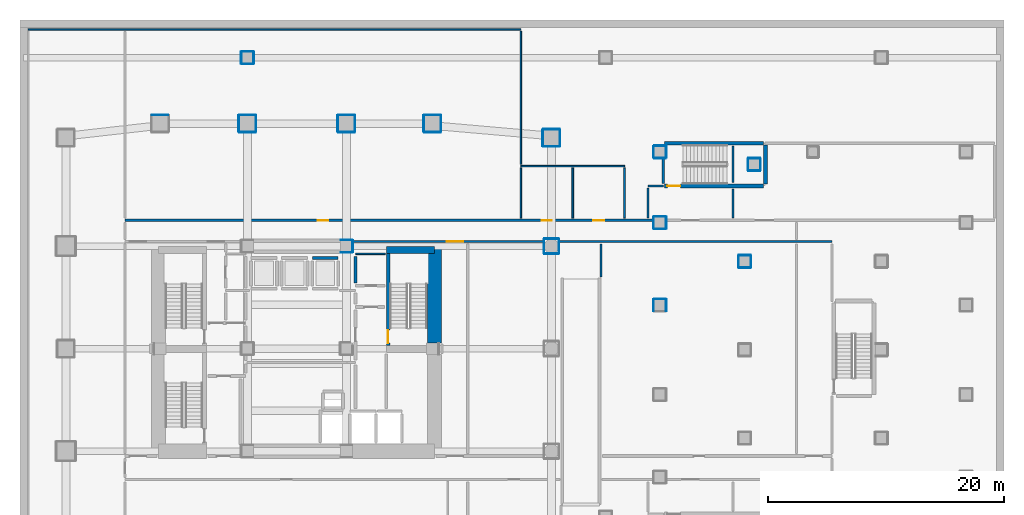
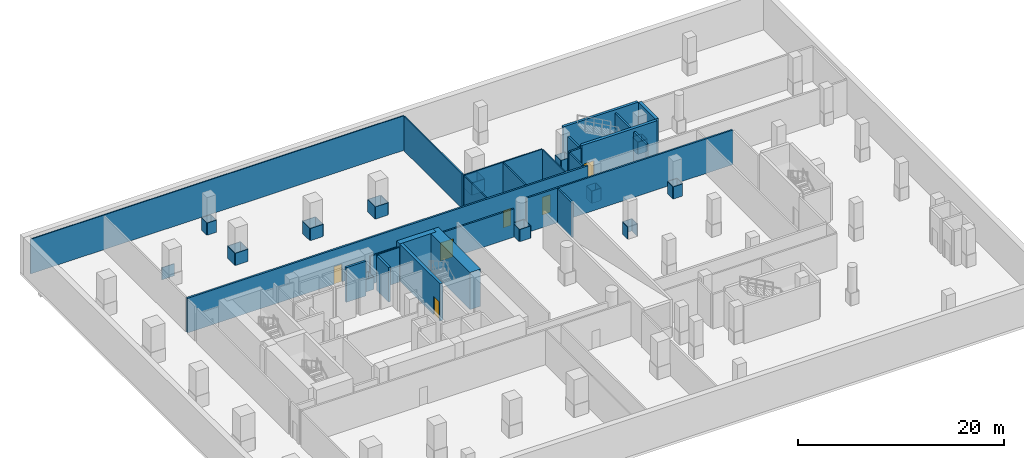
# One storey, part 7 of 15: 71 walls, 6 doors, 6 openings.
"""IFC4 building model written with IfcOpenShell, lengths in metres."""

import ifcopenshell
import ifcopenshell.guid

model = None  # the IFC model being written
_history = None  # IfcOwnerHistory: only IFC2X3 demands one
_inside = {}  # id of a spatial element -> (the spatial element, [elements in it])
_under = {}  # id of a project, library or spatial element -> (it, [spatial elements below it])
_declared = {}  # id of a project -> (the project, [libraries it declares])
_typed = {}  # id of a type object -> (the type object, [elements of that type])
_made_of = {}  # id of a material, layer set ... -> (it, [elements and type objects made of it])


def new_model(schema):
    """Start an empty IFC model of exactly this schema.

    Asked for "IFC4X3", IfcOpenShell would pick the latest addendum, in which some entities
    have other attributes; the version numbers below select the first issue.
    IFC2X3 requires an IfcOwnerHistory on every rooted entity: one is made here for all.
    """
    global model, _history
    if schema == "IFC4X3":
        model = ifcopenshell.file(schema_version=(4, 3, 0, 0))
    else:
        model = ifcopenshell.file(schema=schema)
    _inside.clear()
    _under.clear()
    _declared.clear()
    _typed.clear()
    _made_of.clear()
    _history = None
    if model.schema == "IFC2X3":
        org = make("IfcOrganization", Name="unknown")
        user = make(
            "IfcPersonAndOrganization",
            ThePerson=make("IfcPerson", FamilyName="unknown"),
            TheOrganization=org,
        )
        app = make(
            "IfcApplication",
            ApplicationDeveloper=org,
            Version="unknown",
            ApplicationFullName="unknown",
            ApplicationIdentifier="unknown",
        )
        _history = make(
            "IfcOwnerHistory",
            OwningUser=user,
            OwningApplication=app,
            ChangeAction="ADDED",
            CreationDate=0,
        )
    return model


def make(cls, **values):
    """One entity of the class cls with the attributes given. An attribute that is None is left unset."""
    return model.create_entity(
        cls, **{name: value for name, value in values.items() if value is not None}
    )


def rooted(cls, **values):
    """An entity with a GlobalId (a new one), such as an element, a storey or a relation."""
    return make(cls, GlobalId=ifcopenshell.guid.new(), OwnerHistory=_history, **values)


def si_unit(unit_type, name, prefix=None):
    """IfcSIUnit, for example si_unit("LENGTHUNIT", "METRE", prefix="MILLI")."""
    return make("IfcSIUnit", UnitType=unit_type, Prefix=prefix, Name=name)


def assignment(units):
    """IfcUnitAssignment: the units of a project."""
    return None if units is None else make("IfcUnitAssignment", Units=units)


def point(xyz):
    """IfcCartesianPoint."""
    return None if xyz is None else make("IfcCartesianPoint", Coordinates=xyz)


def direction(xyz):
    """IfcDirection."""
    return None if xyz is None else make("IfcDirection", DirectionRatios=xyz)


def frame(location, z_axis=None, x_axis=None):
    """IfcAxis2Placement3D, a coordinate frame: its origin and axes. An axis left out is left unset."""
    return make(
        "IfcAxis2Placement3D",
        Location=point(location),
        Axis=direction(z_axis),
        RefDirection=direction(x_axis),
    )


def frame_2d(location, x_axis=None):
    """IfcAxis2Placement2D, a coordinate frame in the plane: its origin and x axis."""
    return make(
        "IfcAxis2Placement2D", Location=point(location), RefDirection=direction(x_axis)
    )


def origin():
    """The frame at (0, 0, 0) with its axes left unset."""
    return frame((0.0, 0.0, 0.0))


def place(relative_to, where):
    """IfcLocalPlacement: puts the frame where relative to a parent placement (None: the world)."""
    return make(
        "IfcLocalPlacement", PlacementRelTo=relative_to, RelativePlacement=where
    )


def context(
    kind, dimensions, precision=None, world=None, true_north=None, identifier=None
):
    """IfcGeometricRepresentationContext, for example the 3D "Model" context."""
    return make(
        "IfcGeometricRepresentationContext",
        ContextIdentifier=identifier,
        ContextType=kind,
        CoordinateSpaceDimension=dimensions,
        Precision=precision,
        WorldCoordinateSystem=world,
        TrueNorth=true_north,
    )


def subcontext(parent, identifier, kind, view, scale=None):
    """IfcGeometricRepresentationSubContext, for example "Body" below "Model"."""
    return make(
        "IfcGeometricRepresentationSubContext",
        ContextIdentifier=identifier,
        ContextType=kind,
        ParentContext=parent,
        TargetScale=scale,
        TargetView=view,
    )


def project(units=None, contexts=None):
    """IfcProject with its units and contexts."""
    return rooted(
        "IfcProject",
        Name="project",
        RepresentationContexts=contexts,
        UnitsInContext=assignment(units),
    )


def spatial(cls, under=None, at=None, **own):
    """A site, building, storey or space (cls), placed at a placement, below another one or the project."""
    s = rooted(cls, ObjectPlacement=at, **own)
    if under is not None:
        _under.setdefault(under.id(), (under, []))[1].append(s)
    return s


def profile(cls, at=None, kind="AREA", **sizes):
    """A parametric profile (cls). Its sizes go by their IFC names, for example OverallWidth=200.0."""
    return make(cls, ProfileType=kind, Position=at, **sizes)


def rectangle(**sizes):
    """IfcRectangleProfileDef."""
    return profile("IfcRectangleProfileDef", **sizes)


def extrude(swept, where, along, depth):
    """IfcExtrudedAreaSolid: the profile swept, set in the frame where, extruded along a direction by depth."""
    return make(
        "IfcExtrudedAreaSolid",
        SweptArea=swept,
        Position=where,
        ExtrudedDirection=direction(along),
        Depth=depth,
    )


def shape(context_of_items, identifier, shape_type, items):
    """IfcShapeRepresentation: the items that make up one representation, for example the "Body"."""
    return make(
        "IfcShapeRepresentation",
        ContextOfItems=context_of_items,
        RepresentationIdentifier=identifier,
        RepresentationType=shape_type,
        Items=items,
    )


def material(Name=None, Category=None):
    """IfcMaterial."""
    return make("IfcMaterial", Name=Name, Category=Category)


def layer(
    of_material, thickness, ventilated=None, Name=None, Category=None, Priority=None
):
    """IfcMaterialLayer: one layer of a wall or slab, of a material (None: an air gap)."""
    return make(
        "IfcMaterialLayer",
        Material=of_material,
        LayerThickness=thickness,
        IsVentilated=ventilated,
        Name=Name,
        Category=Category,
        Priority=Priority,
    )


def layer_set(layers, Name=None):
    """IfcMaterialLayerSet."""
    return make("IfcMaterialLayerSet", MaterialLayers=layers, LayerSetName=Name)


def made_of(thing, what):
    """Note that an element or type object is made of a material, layer set ...; save() writes the relation."""
    if what is not None:
        _made_of.setdefault(what.id(), (what, []))[1].append(thing)
    return thing


def type_object(cls, material=None, **own):
    """A type object (cls), such as IfcWallType, which elements share."""
    return made_of(rooted(cls, **own), material)


def element(
    cls,
    number,
    at=None,
    inside=None,
    cuts=None,
    type_object=None,
    material=None,
    context=None,
    identifier="Body",
    shape_type=None,
    held_by="IfcProductDefinitionShape",
    body=None,
    shapes=None,
    **own,
):
    """One element of the class cls, such as IfcWall. Its Tag is "e" and its number.

    at: its placement. inside: the storey or other place that contains it. cuts: it is an
    opening in that element (IfcRelVoidsElement). A single representation is given by context,
    identifier, shape_type and body (its items); several are given by shapes. held_by: the class
    of the entity that holds the representations. save() writes the other relations.
    """
    e = rooted(cls, Tag="e%d" % number, ObjectPlacement=at, **own)
    if body is not None:
        shapes = [shape(context, identifier, shape_type, body)]
    if shapes is not None:
        e.Representation = make(held_by, Representations=shapes)
    if inside is not None:
        _inside.setdefault(inside.id(), (inside, []))[1].append(e)
    if cuts is not None:
        rooted(
            "IfcRelVoidsElement", RelatingBuildingElement=cuts, RelatedOpeningElement=e
        )
    if type_object is not None:
        _typed.setdefault(type_object.id(), (type_object, []))[1].append(e)
    return made_of(e, material)


def fill(opening, filler):
    """IfcRelFillsElement: the door or window that sits in an opening."""
    return rooted(
        "IfcRelFillsElement",
        RelatingOpeningElement=opening,
        RelatedBuildingElement=filler,
    )


def aggregate(whole, parts):
    """IfcRelAggregates: a whole, such as a stair, and the parts it consists of."""
    return rooted("IfcRelAggregates", RelatingObject=whole, RelatedObjects=parts)


def save(model, path):
    """Write the relations noted so far, then the file.

    IfcRelAggregates (storeys below a building ...), IfcRelContainedInSpatialStructure (elements
    in a storey), IfcRelDefinesByType, IfcRelAssociatesMaterial and IfcRelDeclares: one each for
    every whole, place, type object, material and project.
    """
    for whole, parts in _under.values():
        aggregate(whole, parts)
    for where, things in _inside.values():
        rooted(
            "IfcRelContainedInSpatialStructure",
            RelatedElements=things,
            RelatingStructure=where,
        )
    for kind, things in _typed.values():
        rooted("IfcRelDefinesByType", RelatedObjects=things, RelatingType=kind)
    for what, things in _made_of.values():
        rooted("IfcRelAssociatesMaterial", RelatedObjects=things, RelatingMaterial=what)
    for by, libraries in _declared.values():
        rooted("IfcRelDeclares", RelatingContext=by, RelatedDefinitions=libraries)
    model.write(path)


model = new_model("IFC4")

# Units and contexts
model_context = context("Model", 3, precision=1e-05, world=origin(), true_north=direction((0.0, 1.0)))
body_context = subcontext(model_context, "Body", "Model", "MODEL_VIEW")
ifc_project = project(units=[si_unit("LENGTHUNIT", "METRE"), si_unit("AREAUNIT", "SQUARE_METRE"), si_unit("VOLUMEUNIT", "CUBIC_METRE"), si_unit("PLANEANGLEUNIT", "RADIAN"), si_unit("MASSUNIT", "GRAM", prefix="KILO")], contexts=[model_context])

# Site, building, storey
site_placement = place(None, origin())
site = spatial("IfcSite", under=ifc_project, at=site_placement, CompositionType="ELEMENT")
building_placement = place(site_placement, origin())
building = spatial("IfcBuilding", under=site, at=building_placement, Name="Solanera Arch Residences", CompositionType="ELEMENT")
storey_placement = place(building_placement, frame((0.0, 0.0, -8.800048828125)))
storey = spatial("IfcBuildingStorey", under=building, at=storey_placement, Name="B02", CompositionType="ELEMENT", Elevation=-8.800048828125)

# Walls
ifc_material_1 = material(Name="Fire-Rated Gypsum Stud Partition", Category="gypsum")
ifc_layer_1 = layer(ifc_material_1, 0.06005859375)
ifc_layer_set_1 = layer_set([ifc_layer_1], Name="Fire-Rated Gypsum Stud Partition")
wall_type_1 = type_object("IfcWallType", Name="Column Acoustic Furring Wall 60", PredefinedType="PARTITIONING", material=ifc_layer_set_1)
for number, where, z_axis, x_axis, name in (
    (1, (28.7099609375, 38.867919921875, 0.0), (0.0, 0.0, 1.0), (1.0, 0.0, 0.0), "B02 Column Furring 4S"),
    (2, (28.7099609375, 39.931884765625, 0.0), (0.0, 0.0, 1.0), (1.0, 0.0, 0.0), "B02 Column Furring 4N"),
):
    element("IfcWall", number, at=place(storey_placement, frame(where, z_axis=z_axis, x_axis=x_axis)), inside=storey, type_object=wall_type_1, Name=name, PredefinedType="PARTITIONING", context=body_context, shape_type="SweptSolid", body=[
        extrude(rectangle(XDim=0.989990234375, YDim=0.06005859375, at=frame_2d((0.4951171875, 0.0))), origin(), (0.0, 0.0, 1.0), 1.449951171875),
    ])
wall_1_placement = place(storey_placement, frame((29.73193359375, 38.89990234375, 0.0), z_axis=(0.0, 0.0, 1.0), x_axis=(0.0, 1.0, 0.0)))
element("IfcWall", 3, at=wall_1_placement, inside=storey, type_object=wall_type_1, Name="B02 Column Furring 4E", PredefinedType="PARTITIONING", context=body_context, shape_type="SweptSolid", body=[
    extrude(rectangle(XDim=1.0, YDim=0.06005859375, at=frame_2d((0.5, 0.0))), origin(), (0.0, 0.0, 1.0), 1.449951171875),
])
wall_2_placement = place(storey_placement, frame((12.699951171875, 50.531982421875, 0.0), z_axis=(0.0, 0.0, 1.0), x_axis=(1.0, 0.0, 0.0)))
element("IfcWall", 4, at=wall_2_placement, inside=storey, type_object=wall_type_1, Name="B02 Column Furring 11N", PredefinedType="PARTITIONING", context=body_context, shape_type="SweptSolid", body=[
    extrude(rectangle(XDim=1.400146484375, YDim=0.06005859375, at=frame_2d((0.7001953125, 0.0))), origin(), (0.0, 0.0, 1.0), 1.449951171875),
])
for number, where, z_axis, x_axis, name in (
    (5, (20.10009765625, 49.068115234375, 0.0), (0.0, 0.0, 1.0), (1.0, 0.0, 0.0), "B02 Column Furring 12S"),
    (6, (20.10009765625, 50.531982421875, 0.0), (0.0, 0.0, 1.0), (1.0, 0.0, 0.0), "B02 Column Furring 12N"),
    (7, (20.068115234375, 49.10009765625, 0.0), (0.0, 0.0, 1.0), (0.0, 1.0, 0.0), "B02 Column Furring 12W"),
    (8, (21.531982421875, 49.10009765625, 0.0), (0.0, 0.0, 1.0), (0.0, 1.0, 0.0), "B02 Column Furring 12E"),
    (9, (28.5, 49.068115234375, 0.0), (0.0, 0.0, 1.0), (1.0, 0.0, 0.0), "B02 Column Furring 13S"),
    (10, (28.5, 50.531982421875, 0.0), (0.0, 0.0, 1.0), (1.0, 0.0, 0.0), "B02 Column Furring 13N"),
    (11, (28.468017578125, 49.10009765625, 0.0), (0.0, 0.0, 1.0), (0.0, 1.0, 0.0), "B02 Column Furring 13W"),
    (12, (29.931884765625, 49.10009765625, 0.0), (0.0, 0.0, 1.0), (0.0, 1.0, 0.0), "B02 Column Furring 13E"),
    (13, (35.800048828125, 49.068115234375, 0.0), (0.0, 0.0, 1.0), (1.0, 0.0, 0.0), "B02 Column Furring 14S"),
    (14, (35.800048828125, 50.531982421875, 0.0), (0.0, 0.0, 1.0), (1.0, 0.0, 0.0), "B02 Column Furring 14N"),
    (15, (35.76806640625, 49.10009765625, 0.0), (0.0, 0.0, 1.0), (0.0, 1.0, 0.0), "B02 Column Furring 14W"),
    (16, (37.23193359375, 49.10009765625, 0.0), (0.0, 0.0, 1.0), (0.0, 1.0, 0.0), "B02 Column Furring 14E"),
):
    element("IfcWall", number, at=place(storey_placement, frame(where, z_axis=z_axis, x_axis=x_axis)), inside=storey, type_object=wall_type_1, Name=name, PredefinedType="PARTITIONING", context=body_context, shape_type="SweptSolid", body=[
        extrude(rectangle(XDim=1.39990234375, YDim=0.06005859375, at=frame_2d((0.699951171875, 0.0))), origin(), (0.0, 0.0, 1.0), 1.449951171875),
    ])
for number, where, z_axis, x_axis, name in (
    (17, (46.0, 38.76806640625, 0.0), (0.0, 0.0, 1.0), (1.0, 0.0, 0.0), "B02 Column Furring 20S"),
    (18, (46.0, 40.031982421875, 0.0), (0.0, 0.0, 1.0), (1.0, 0.0, 0.0), "B02 Column Furring 20N"),
    (19, (45.968017578125, 38.800048828125, 0.0), (0.0, 0.0, 1.0), (0.0, 1.0, 0.0), "B02 Column Furring 20W"),
    (20, (47.23193359375, 38.800048828125, 0.0), (0.0, 0.0, 1.0), (0.0, 1.0, 0.0), "B02 Column Furring 20E"),
):
    element("IfcWall", number, at=place(storey_placement, frame(where, z_axis=z_axis, x_axis=x_axis)), inside=storey, type_object=wall_type_1, Name=name, PredefinedType="PARTITIONING", context=body_context, shape_type="SweptSolid", body=[
        extrude(rectangle(XDim=1.199951171875, YDim=0.06005859375, at=frame_2d((0.60009765625, 0.0))), origin(), (0.0, 0.0, 1.0), 1.449951171875),
    ])
for number, where, z_axis, x_axis, name in (
    (21, (45.89990234375, 47.867919921875, 0.0), (0.0, 0.0, 1.0), (1.0, 0.0, 0.0), "B02 Column Furring 24S"),
    (22, (45.89990234375, 49.33203125, 0.0), (0.0, 0.0, 1.0), (1.0, 0.0, 0.0), "B02 Column Furring 24N"),
    (23, (45.867919921875, 47.89990234375, 0.0), (0.0, 0.0, 1.0), (0.0, 1.0, 0.0), "B02 Column Furring 24W"),
    (24, (47.33203125, 47.89990234375, 0.0), (0.0, 0.0, 1.0), (0.0, 1.0, 0.0), "B02 Column Furring 24E"),
):
    element("IfcWall", number, at=place(storey_placement, frame(where, z_axis=z_axis, x_axis=x_axis)), inside=storey, type_object=wall_type_1, Name=name, PredefinedType="PARTITIONING", context=body_context, shape_type="SweptSolid", body=[
        extrude(rectangle(XDim=1.400146484375, YDim=0.06005859375, at=frame_2d((0.7001953125, 0.0))), origin(), (0.0, 0.0, 1.0), 1.449951171875),
    ])
for number, where, z_axis, x_axis, name in (
    (25, (62.5, 37.568115234375, 0.0), (0.0, 0.0, 1.0), (1.0, 0.0, 0.0), "B02 Column Furring 31S"),
    (26, (62.5, 38.632080078125, 0.0), (0.0, 0.0, 1.0), (1.0, 0.0, 0.0), "B02 Column Furring 31N"),
    (27, (62.468017578125, 37.60009765625, 0.0), (0.0, 0.0, 1.0), (0.0, 1.0, 0.0), "B02 Column Furring 31W"),
    (28, (63.531982421875, 37.60009765625, 0.0), (0.0, 0.0, 1.0), (0.0, 1.0, 0.0), "B02 Column Furring 31E"),
    (29, (20.300048828125, 54.867919921875, 0.0), (0.0, 0.0, 1.0), (1.0, 0.0, 0.0), "B02 Column Furring 38S"),
    (30, (20.300048828125, 55.931884765625, 0.0), (0.0, 0.0, 1.0), (1.0, 0.0, 0.0), "B02 Column Furring 38N"),
    (31, (20.26806640625, 54.89990234375, 0.0), (0.0, 0.0, 1.0), (0.0, 1.0, 0.0), "B02 Column Furring 38W"),
    (32, (21.33203125, 54.89990234375, 0.0), (0.0, 0.0, 1.0), (0.0, 1.0, 0.0), "B02 Column Furring 38E"),
    (33, (63.300048828125, 45.80810546875, 0.0), (0.0, 0.0, 1.0), (1.0, 0.0, 0.0), "B02 Column Furring 42S"),
    (34, (63.300048828125, 46.8720703125, 0.0), (0.0, 0.0, 1.0), (1.0, 0.0, 0.0), "B02 Column Furring 42N"),
    (35, (63.26806640625, 45.840087890625, 0.0), (0.0, 0.0, 1.0), (0.0, 1.0, 0.0), "B02 Column Furring 42W"),
    (36, (64.33203125, 45.840087890625, 0.0), (0.0, 0.0, 1.0), (0.0, 1.0, 0.0), "B02 Column Furring 42E"),
    (37, (55.300048828125, 34.931884765625, 0.0), (0.0, 0.0, 1.0), (1.0, 0.0, 0.0), "B02 Column Furring 46N"),
    (38, (55.26806640625, 33.89990234375, 0.0), (0.0, 0.0, 1.0), (0.0, 1.0, 0.0), "B02 Column Furring 46W"),
    (39, (56.33203125, 33.89990234375, 0.0), (0.0, 0.0, 1.0), (0.0, 1.0, 0.0), "B02 Column Furring 46E"),
    (40, (55.300048828125, 40.867919921875, 0.0), (0.0, 0.0, 1.0), (1.0, 0.0, 0.0), "B02 Column Furring 47S"),
    (41, (55.300048828125, 41.931884765625, 0.0), (0.0, 0.0, 1.0), (1.0, 0.0, 0.0), "B02 Column Furring 47N"),
    (42, (55.26806640625, 40.89990234375, 0.0), (0.0, 0.0, 1.0), (0.0, 1.0, 0.0), "B02 Column Furring 47W"),
    (43, (56.33203125, 40.89990234375, 0.0), (0.0, 0.0, 1.0), (0.0, 1.0, 0.0), "B02 Column Furring 47E"),
    (44, (55.300048828125, 46.867919921875, 0.0), (0.0, 0.0, 1.0), (1.0, 0.0, 0.0), "B02 Column Furring 48S"),
    (45, (55.300048828125, 47.931884765625, 0.0), (0.0, 0.0, 1.0), (1.0, 0.0, 0.0), "B02 Column Furring 48N"),
    (46, (55.26806640625, 46.89990234375, 0.0), (0.0, 0.0, 1.0), (0.0, 1.0, 0.0), "B02 Column Furring 48W"),
    (47, (56.33203125, 46.89990234375, 0.0), (0.0, 0.0, 1.0), (0.0, 1.0, 0.0), "B02 Column Furring 48E"),
):
    element("IfcWall", number, at=place(storey_placement, frame(where, z_axis=z_axis, x_axis=x_axis)), inside=storey, type_object=wall_type_1, Name=name, PredefinedType="PARTITIONING", context=body_context, shape_type="SweptSolid", body=[
        extrude(rectangle(XDim=1.0, YDim=0.06005859375, at=frame_2d((0.5, 0.0))), origin(), (0.0, 0.0, 1.0), 1.449951171875),
    ])
ifc_material_2 = material(Name="Concrete C55/67 (f'c = 60 MPa)", Category="concrete")
ifc_layer_2 = layer(ifc_material_2, 1.199951171875)
ifc_layer_set_2 = layer_set([ifc_layer_2], Name="Concrete C55/67 (f'c = 60 MPa)")
wall_type_2 = type_object("IfcWallType", Name="Core Shear Wall CW-1200", PredefinedType="SHEAR", material=ifc_layer_set_2)
wall_3_placement = place(storey_placement, frame((36.659912109375, 31.205078125, 0.0), z_axis=(0.0, 0.0, 1.0), x_axis=(0.0, 1.0, 0.0)))
element("IfcWall", 48, at=wall_3_placement, inside=storey, type_object=wall_type_2, Name="B02 East Core North Shear Wall", PredefinedType="SHEAR", context=body_context, shape_type="SweptSolid", body=[
    extrude(rectangle(XDim=8.19482421875, YDim=1.199951171875, at=frame_2d((4.097412109375, 0.0))), origin(), (0.0, 0.0, 1.0), 4.400146484375),
])

# Wall, opening, door
ifc_material_3 = material(Name="Concrete C40/50 (f'c = 45 MPa)", Category="concrete")
ifc_layer_3 = layer(ifc_material_3, 0.320068359375)
ifc_layer_set_3 = layer_set([ifc_layer_3], Name="Concrete C40/50 (f'c = 45 MPa)")
wall_type_3 = type_object("IfcWallType", Name="Core Shear Wall CW-320", PredefinedType="SHEAR", material=ifc_layer_set_3)
wall_4_placement = place(storey_placement, frame((32.739990234375, 31.0, 0.0), z_axis=(0.0, 0.0, 1.0), x_axis=(0.0, 1.0, 0.0)))
wall_4 = element("IfcWall", 49, at=wall_4_placement, inside=storey, type_object=wall_type_3, Name="B02 Stair ST-T2 West Shear Wall", PredefinedType="SHEAR", context=body_context, shape_type="SweptSolid", body=[
    extrude(rectangle(XDim=7.800048828125, YDim=0.320068359375, at=frame_2d((3.89990234375, 0.0))), origin(), (0.0, 0.0, 1.0), 4.400146484375),
])
opening_1_placement = place(wall_4_placement, frame((0.18994140625, 0.0, 0.0)))
opening_1 = element("IfcOpeningElement", 50, at=opening_1_placement, cuts=wall_4, Name="Opening DF-01", PredefinedType="OPENING", context=body_context, shape_type="SweptSolid", body=[
    extrude(rectangle(XDim=1.10009765625, YDim=2.14990234375, at=frame_2d((0.550048828125, 1.074951171875))), frame((0.0, 0.169921875, 0.0), z_axis=(0.0, -1.0, 0.0), x_axis=(1.0, 0.0, 0.0)), (0.0, 0.0, 1.0), 0.3401),
])
ifc_material_4 = material(Name="Fire-Rated Architectural Hardwood", Category="wood")
door_type_1 = type_object("IfcDoorType", Name="Stair Exit Fire Door DF-01", OperationType="NOTDEFINED", PredefinedType="DOOR", material=ifc_material_4)
door_1_placement = place(opening_1_placement, origin())
door_1 = element("IfcDoor", 51, at=door_1_placement, inside=storey, type_object=door_type_1, Name="DR-B02-STAIR-ST-T2", OperationType="SINGLE_SWING_LEFT", OverallHeight=2.14990234375, OverallWidth=1.10009765625, PredefinedType="DOOR", context=body_context, shape_type="SweptSolid", body=[
    extrude(rectangle(XDim=1.10009765625, YDim=2.14990234375, at=frame_2d((0.550048828125, 1.074951171875))), frame((0.0, 0.02490234375, 0.0), z_axis=(0.0, -1.0, 0.0), x_axis=(1.0, 0.0, 0.0)), (0.0, 0.0, 1.0), 0.050048828125),
])
fill(opening_1, door_1)

# Walls
wall_5_placement = place(storey_placement, frame((64.760009765625, 44.679931640625, 0.0), z_axis=(0.0, 0.0, 1.0), x_axis=(0.0, 1.0, 0.0)))
element("IfcWall", 52, at=wall_5_placement, inside=storey, type_object=wall_type_3, Name="B02 Stair ST-H2 East Shear Wall", PredefinedType="SHEAR", context=body_context, shape_type="SweptSolid", body=[
    extrude(rectangle(XDim=3.320068359375, YDim=0.320068359375, at=frame_2d((1.66015625, 0.0))), origin(), (0.0, 0.0, 1.0), 4.400146484375),
])
wall_6_placement = place(storey_placement, frame((56.199951171875, 48.139892578125, 0.0), z_axis=(0.0, 0.0, 1.0), x_axis=(1.0, 0.0, 0.0)))
element("IfcWall", 53, at=wall_6_placement, inside=storey, type_object=wall_type_3, Name="B02 Stair ST-H2 North Shear Wall", PredefinedType="SHEAR", context=body_context, shape_type="SweptSolid", body=[
    extrude(rectangle(XDim=8.400146484375, YDim=0.280029296875, at=frame_2d((4.2001953125, 0.0))), origin(), (0.0, 0.0, 1.0), 4.400146484375),
])

# Wall, opening, door
wall_7_placement = place(storey_placement, frame((56.199951171875, 44.52001953125, 0.0), z_axis=(0.0, 0.0, 1.0), x_axis=(1.0, 0.0, 0.0)))
wall_7 = element("IfcWall", 54, at=wall_7_placement, inside=storey, type_object=wall_type_3, Name="B02 Stair ST-H2 South Shear Wall", PredefinedType="SHEAR", context=body_context, shape_type="SweptSolid", body=[
    extrude(rectangle(XDim=8.400146484375, YDim=0.320068359375, at=frame_2d((4.2001953125, 0.0))), origin(), (0.0, 0.0, 1.0), 4.400146484375),
])
opening_2_placement = place(wall_7_placement, frame((0.22998046875, 0.0, 0.0)))
opening_2 = element("IfcOpeningElement", 55, at=opening_2_placement, cuts=wall_7, Name="Opening DF-01", PredefinedType="OPENING", context=body_context, shape_type="SweptSolid", body=[
    extrude(rectangle(XDim=1.10009765625, YDim=2.14990234375, at=frame_2d((0.550048828125, 1.074951171875))), frame((0.0, 0.169921875, 0.0), z_axis=(0.0, -1.0, 0.0), x_axis=(1.0, 0.0, 0.0)), (0.0, 0.0, 1.0), 0.3401),
])
door_2_placement = place(opening_2_placement, origin())
door_2 = element("IfcDoor", 56, at=door_2_placement, inside=storey, type_object=door_type_1, Name="DR-B02-STAIR-ST-H2", OperationType="SINGLE_SWING_RIGHT", OverallHeight=2.14990234375, OverallWidth=1.10009765625, PredefinedType="DOOR", context=body_context, shape_type="SweptSolid", body=[
    extrude(rectangle(XDim=1.10009765625, YDim=2.14990234375, at=frame_2d((0.550048828125, 1.074951171875))), frame((0.0, 0.02490234375, 0.0), z_axis=(0.0, -1.0, 0.0), x_axis=(1.0, 0.0, 0.0)), (0.0, 0.0, 1.0), 0.050048828125),
])
fill(opening_2, door_2)

# Wall
ifc_material_5 = material(Name="Concrete C40/50 (f'c = 45 MPa)", Category="concrete")
ifc_layer_4 = layer(ifc_material_5, 0.60009765625)
ifc_layer_set_4 = layer_set([ifc_layer_4], Name="Concrete C40/50 (f'c = 45 MPa)")
wall_type_4 = type_object("IfcWallType", Name="Core Shear Wall CW-600", PredefinedType="SHEAR", material=ifc_layer_set_4)
wall_8_placement = place(storey_placement, frame((32.580078125, 39.10009765625, 0.0), z_axis=(0.0, 0.0, 1.0), x_axis=(1.0, 0.0, 0.0)))
element("IfcWall", 57, at=wall_8_placement, inside=storey, type_object=wall_type_4, Name="B02 North-East Core Shear Wall", PredefinedType="SHEAR", context=body_context, shape_type="SweptSolid", body=[
    extrude(rectangle(XDim=4.079833984375, YDim=0.60009765625, at=frame_2d((2.0400390625, 0.0))), origin(), (0.0, 0.0, 1.0), 4.400146484375),
])

# Wall, opening, door
ifc_material_6 = material(Name="Autoclaved Aerated Concrete Blockwork", Category="masonry")
ifc_layer_5 = layer(ifc_material_6, 0.179931640625)
ifc_layer_set_5 = layer_set([ifc_layer_5], Name="Autoclaved Aerated Concrete Blockwork")
wall_type_5 = type_object("IfcWallType", Name="Corridor Fire Partition 180", PredefinedType="PARTITIONING", material=ifc_layer_set_5)
wall_9_placement = place(storey_placement, frame((29.802001953125, 39.800048828125, 0.0), z_axis=(0.0, 0.0, 1.0), x_axis=(1.0, 0.0, 0.0)))
wall_9 = element("IfcWall", 58, at=wall_9_placement, inside=storey, type_object=wall_type_5, Name="B02 Interior Partition H15 2", PredefinedType="PARTITIONING", context=body_context, shape_type="SweptSolid", body=[
    extrude(rectangle(XDim=16.095947265625, YDim=0.179931640625, at=frame_2d((8.0478515625, 0.0))), origin(), (0.0, 0.0, 1.0), 3.3349609375),
])
opening_3_placement = place(wall_9_placement, frame((7.89794921875, 0.0, 0.0)))
opening_3 = element("IfcOpeningElement", 59, at=opening_3_placement, cuts=wall_9, Name="Opening DF-03", PredefinedType="OPENING", context=body_context, shape_type="SweptSolid", body=[
    extrude(rectangle(XDim=1.39990234375, YDim=2.14990234375, at=frame_2d((0.699951171875, 1.074951171875))), frame((0.0, 0.10009765625, 0.0), z_axis=(0.0, -1.0, 0.0), x_axis=(1.0, 0.0, 0.0)), (0.0, 0.0, 1.0), 0.1999),
])
ifc_material_7 = material(Name="Fire-Rated Architectural Hardwood", Category="wood")
door_type_2 = type_object("IfcDoorType", Name="Corridor Smoke Door DF-03", OperationType="NOTDEFINED", PredefinedType="DOOR", material=ifc_material_7)
door_3_placement = place(opening_3_placement, origin())
door_3 = element("IfcDoor", 60, at=door_3_placement, inside=storey, type_object=door_type_2, Name="DR-B02-IN-020", OperationType="SINGLE_SWING_LEFT", OverallHeight=2.14990234375, OverallWidth=1.39990234375, PredefinedType="DOOR", context=body_context, shape_type="SweptSolid", body=[
    extrude(rectangle(XDim=1.39990234375, YDim=2.14990234375, at=frame_2d((0.699951171875, 1.074951171875))), frame((0.0, 0.02490234375, 0.0), z_axis=(0.0, -1.0, 0.0), x_axis=(1.0, 0.0, 0.0)), (0.0, 0.0, 1.0), 0.050048828125),
])
fill(opening_3, door_3)

# Walls
wall_10_placement = place(storey_placement, frame((47.302001953125, 39.800048828125, 0.0), z_axis=(0.0, 0.0, 1.0), x_axis=(1.0, 0.0, 0.0)))
element("IfcWall", 61, at=wall_10_placement, inside=storey, type_object=wall_type_5, Name="B02 Interior Partition H15 3", PredefinedType="PARTITIONING", context=body_context, shape_type="SweptSolid", body=[
    extrude(rectangle(XDim=23.097900390625, YDim=0.179931640625, at=frame_2d((11.548828125, 0.0))), origin(), (0.0, 0.0, 1.0), 4.10009765625),
])
wall_11_placement = place(storey_placement, frame((54.800048828125, 44.52001953125, 0.0), z_axis=(0.0, 0.0, 1.0), x_axis=(1.0, 0.0, 0.0)))
element("IfcWall", 62, at=wall_11_placement, inside=storey, type_object=wall_type_5, Name="B02 Interior Partition H16", PredefinedType="PARTITIONING", context=body_context, shape_type="SweptSolid", body=[
    extrude(rectangle(XDim=1.300048828125, YDim=0.179931640625, at=frame_2d((0.64990234375, 0.0))), origin(), (0.0, 0.0, 1.0), 4.10009765625),
])
wall_12_placement = place(storey_placement, frame((50.800048828125, 36.798095703125, 0.0), z_axis=(0.0, 0.0, 1.0), x_axis=(0.0, 1.0, 0.0)))
element("IfcWall", 63, at=wall_12_placement, inside=storey, type_object=wall_type_5, Name="B02 Interior Partition V16", PredefinedType="PARTITIONING", context=body_context, shape_type="SweptSolid", body=[
    extrude(rectangle(XDim=2.81396484375, YDim=0.179931640625, at=frame_2d((1.406982421875, 0.0))), origin(), (0.0, 0.0, 1.0), 4.10009765625),
])
wall_13_placement = place(storey_placement, frame((54.800048828125, 41.798095703125, 0.0), z_axis=(0.0, 0.0, 1.0), x_axis=(0.0, 1.0, 0.0)))
element("IfcWall", 64, at=wall_13_placement, inside=storey, type_object=wall_type_5, Name="B02 Interior Partition V18", PredefinedType="PARTITIONING", context=body_context, shape_type="SweptSolid", body=[
    extrude(rectangle(XDim=2.533935546875, YDim=0.179931640625, at=frame_2d((1.26708984375, 0.0))), origin(), (0.0, 0.0, 1.0), 4.10009765625),
])

# Wall, openings, doors
ifc_material_8 = material(Name="Autoclaved Aerated Concrete Blockwork", Category="masonry")
ifc_layer_6 = layer(ifc_material_8, 0.199951171875)
ifc_layer_set_6 = layer_set([ifc_layer_6], Name="Autoclaved Aerated Concrete Blockwork")
wall_type_6 = type_object("IfcWallType", Name="Party Wall Acoustic 200", PredefinedType="PARTITIONING", material=ifc_layer_set_6)
wall_14_placement = place(storey_placement, frame((10.39990234375, 41.60009765625, 0.0), z_axis=(0.0, 0.0, 1.0), x_axis=(1.0, 0.0, 0.0)))
wall_14 = element("IfcWall", 65, at=wall_14_placement, inside=storey, type_object=wall_type_6, Name="B02 Interior Partition H8 1", PredefinedType="PARTITIONING", context=body_context, shape_type="SweptSolid", body=[
    extrude(rectangle(XDim=44.7880859375, YDim=0.199951171875, at=frame_2d((22.39404296875, 0.0))), origin(), (0.0, 0.0, 1.0), 4.10009765625),
])
opening_4_placement = place(wall_14_placement, frame((16.3740234375, 0.0, 0.0)))
opening_4 = element("IfcOpeningElement", 66, at=opening_4_placement, cuts=wall_14, Name="Opening DI-02", PredefinedType="OPENING", context=body_context, shape_type="SweptSolid", body=[
    extrude(rectangle(XDim=0.89990234375, YDim=2.10009765625, at=frame_2d((0.449951171875, 1.050048828125))), frame((0.0, 0.110107421875, 0.0), z_axis=(0.0, -1.0, 0.0), x_axis=(1.0, 0.0, 0.0)), (0.0, 0.0, 1.0), 0.22),
])
opening_5_placement = place(wall_14_placement, frame((35.3701171875, 0.0, 0.0)))
opening_5 = element("IfcOpeningElement", 67, at=opening_5_placement, cuts=wall_14, Name="Opening DI-05", PredefinedType="OPENING", context=body_context, shape_type="SweptSolid", body=[
    extrude(rectangle(XDim=0.860107421875, YDim=2.02001953125, at=frame_2d((0.43017578125, 1.010009765625))), frame((0.0, 0.110107421875, 0.0), z_axis=(0.0, -1.0, 0.0), x_axis=(1.0, 0.0, 0.0)), (0.0, 0.0, 1.0), 0.22),
])
opening_6_placement = place(wall_14_placement, frame((39.72509765625, 0.0, 0.0)))
opening_6 = element("IfcOpeningElement", 68, at=opening_6_placement, cuts=wall_14, Name="Opening DI-04", PredefinedType="OPENING", context=body_context, shape_type="SweptSolid", body=[
    extrude(rectangle(XDim=0.949951171875, YDim=2.10009765625, at=frame_2d((0.47509765625, 1.050048828125))), frame((0.0, 0.110107421875, 0.0), z_axis=(0.0, -1.0, 0.0), x_axis=(1.0, 0.0, 0.0)), (0.0, 0.0, 1.0), 0.22),
])
ifc_material_9 = material(Name="Fire-Rated Architectural Hardwood", Category="wood")
door_type_3 = type_object("IfcDoorType", Name="Accessible Restroom Door DI-04", OperationType="NOTDEFINED", PredefinedType="DOOR", material=ifc_material_9)
door_4_placement = place(opening_6_placement, origin())
door_4 = element("IfcDoor", 69, at=door_4_placement, inside=storey, type_object=door_type_3, Name="DR-B02-IN-031", OperationType="SINGLE_SWING_RIGHT", OverallHeight=2.10009765625, OverallWidth=0.949951171875, PredefinedType="DOOR", context=body_context, shape_type="SweptSolid", body=[
    extrude(rectangle(XDim=0.949951171875, YDim=2.10009765625, at=frame_2d((0.47509765625, 1.050048828125))), frame((0.0, 0.02490234375, 0.0), z_axis=(0.0, -1.0, 0.0), x_axis=(1.0, 0.0, 0.0)), (0.0, 0.0, 1.0), 0.050048828125),
])
fill(opening_6, door_4)
ifc_material_10 = material(Name="Fire-Rated Architectural Hardwood", Category="wood")
door_type_4 = type_object("IfcDoorType", Name="Bathroom Swing Door DI-05", OperationType="NOTDEFINED", PredefinedType="DOOR", material=ifc_material_10)
door_5_placement = place(opening_5_placement, origin())
door_5 = element("IfcDoor", 70, at=door_5_placement, inside=storey, type_object=door_type_4, Name="DR-B02-IN-030", OperationType="SINGLE_SWING_LEFT", OverallHeight=2.02001953125, OverallWidth=0.860107421875, PredefinedType="DOOR", context=body_context, shape_type="SweptSolid", body=[
    extrude(rectangle(XDim=0.860107421875, YDim=2.02001953125, at=frame_2d((0.43017578125, 1.010009765625))), frame((0.0, 0.02490234375, 0.0), z_axis=(0.0, -1.0, 0.0), x_axis=(1.0, 0.0, 0.0)), (0.0, 0.0, 1.0), 0.050048828125),
])
fill(opening_5, door_5)
ifc_material_11 = material(Name="Fire-Rated Architectural Hardwood", Category="wood")
door_type_5 = type_object("IfcDoorType", Name="Suite Room Swing Door DI-02", OperationType="NOTDEFINED", PredefinedType="DOOR", material=ifc_material_11)
door_6_placement = place(opening_4_placement, origin())
door_6 = element("IfcDoor", 71, at=door_6_placement, inside=storey, type_object=door_type_5, Name="DR-B02-IN-027", OperationType="SINGLE_SWING_RIGHT", OverallHeight=2.10009765625, OverallWidth=0.89990234375, PredefinedType="DOOR", context=body_context, shape_type="SweptSolid", body=[
    extrude(rectangle(XDim=0.89990234375, YDim=2.10009765625, at=frame_2d((0.449951171875, 1.050048828125))), frame((0.0, 0.02490234375, 0.0), z_axis=(0.0, -1.0, 0.0), x_axis=(1.0, 0.0, 0.0)), (0.0, 0.0, 1.0), 0.050048828125),
])
fill(opening_4, door_6)

# Walls
wall_15_placement = place(storey_placement, frame((62.0, 41.80810546875, 0.0), z_axis=(0.0, 0.0, 1.0), x_axis=(0.0, 1.0, 0.0)))
element("IfcWall", 72, at=wall_15_placement, inside=storey, type_object=wall_type_6, Name="B02 Interior Partition V8 1", PredefinedType="PARTITIONING", context=body_context, shape_type="SweptSolid", body=[
    extrude(rectangle(XDim=2.44189453125, YDim=0.199951171875, at=frame_2d((1.220947265625, 0.0))), origin(), (0.0, 0.0, 1.0), 4.10009765625),
])
wall_16_placement = place(storey_placement, frame((62.0, 44.7900390625, 0.0), z_axis=(0.0, 0.0, 1.0), x_axis=(0.0, 1.0, 0.0)))
element("IfcWall", 73, at=wall_16_placement, inside=storey, type_object=wall_type_6, Name="B02 Interior Partition V8 2", PredefinedType="PARTITIONING", context=body_context, shape_type="SweptSolid", body=[
    extrude(rectangle(XDim=3.099853515625, YDim=0.199951171875, at=frame_2d((1.5498046875, 0.0))), origin(), (0.0, 0.0, 1.0), 4.10009765625),
])
ifc_material_12 = material(Name="Autoclaved Aerated Concrete Blockwork", Category="masonry")
ifc_layer_7 = layer(ifc_material_12, 0.239990234375)
ifc_layer_set_7 = layer_set([ifc_layer_7], Name="Autoclaved Aerated Concrete Blockwork")
wall_type_7 = type_object("IfcWallType", Name="Shaft Wall Fire-Rated 240", PredefinedType="PARTITIONING", material=ifc_layer_set_7)
wall_17_placement = place(storey_placement, frame((56.080078125, 44.72998046875, 0.0), z_axis=(0.0, 0.0, 1.0), x_axis=(0.0, 1.0, 0.0)))
element("IfcWall", 74, at=wall_17_placement, inside=storey, type_object=wall_type_7, Name="B02 Stair ST-H2 West Wall", PredefinedType="PARTITIONING", context=body_context, shape_type="SweptSolid", body=[
    extrude(rectangle(XDim=2.0380859375, YDim=0.239990234375, at=frame_2d((1.01904296875, 0.0))), origin(), (0.0, 0.0, 1.0), 4.10009765625),
])
wall_18_placement = place(storey_placement, frame((26.300048828125, 38.39990234375, 0.0), z_axis=(0.0, 0.0, 1.0), x_axis=(1.0, 0.0, 0.0)))
element("IfcWall", 75, at=wall_18_placement, inside=storey, type_object=wall_type_7, Name="B02 Lift PL-L3 Hoistway Wall N", PredefinedType="PARTITIONING", context=body_context, shape_type="SweptSolid", body=[
    extrude(rectangle(XDim=2.199951171875, YDim=0.239990234375, at=frame_2d((1.10009765625, 0.0))), origin(), (0.0, 0.0, 1.0), 4.10009765625),
])
wall_19_placement = place(storey_placement, frame((29.97509765625, 36.26806640625, 0.0), z_axis=(0.0, 0.0, 1.0), x_axis=(0.0, 1.0, 0.0)))
element("IfcWall", 76, at=wall_19_placement, inside=storey, type_object=wall_type_7, Name="B02 Interior Partition V4 4", PredefinedType="PARTITIONING", context=body_context, shape_type="SweptSolid", body=[
    extrude(rectangle(XDim=2.283935546875, YDim=0.239990234375, at=frame_2d((1.14208984375, 0.0))), origin(), (0.0, 0.0, 1.0), 4.10009765625),
])
ifc_material_13 = material(Name="Fire-Rated Gypsum Stud Partition", Category="gypsum")
ifc_layer_8 = layer(ifc_material_13, 0.1201171875)
ifc_layer_set_8 = layer_set([ifc_layer_8], Name="Fire-Rated Gypsum Stud Partition")
wall_type_8 = type_object("IfcWallType", Name="Unit Drywall Partition 120", PredefinedType="PARTITIONING", material=ifc_layer_set_8)
wall_20_placement = place(storey_placement, frame((2.199951171875, 57.800048828125, 0.0), z_axis=(0.0, 0.0, 1.0), x_axis=(1.0, 0.0, 0.0)))
element("IfcWall", 77, at=wall_20_placement, inside=storey, type_object=wall_type_8, Name="B02 Interior Partition H22", PredefinedType="PARTITIONING", context=body_context, shape_type="SweptSolid", body=[
    extrude(rectangle(XDim=41.800048828125, YDim=0.1201171875, at=frame_2d((20.89990234375, 0.0))), origin(), (0.0, 0.0, 1.0), 4.10009765625),
])
ifc_material_14 = material(Name="Autoclaved Aerated Concrete Blockwork", Category="masonry")
ifc_layer_9 = layer(ifc_material_14, 0.139892578125)
ifc_layer_set_9 = layer_set([ifc_layer_9], Name="Autoclaved Aerated Concrete Blockwork")
wall_type_9 = type_object("IfcWallType", Name="Wet-Room Partition 140", PredefinedType="PARTITIONING", material=ifc_layer_set_9)
wall_21_placement = place(storey_placement, frame((29.97509765625, 38.75, 0.0), z_axis=(0.0, 0.0, 1.0), x_axis=(1.0, 0.0, 0.0)))
element("IfcWall", 78, at=wall_21_placement, inside=storey, type_object=wall_type_9, Name="B02 Interior Partition H18", PredefinedType="PARTITIONING", context=body_context, shape_type="SweptSolid", body=[
    extrude(rectangle(XDim=2.52490234375, YDim=0.139892578125, at=frame_2d((1.262451171875, 0.0))), origin(), (0.0, 0.0, 1.0), 4.10009765625),
])
wall_22_placement = place(storey_placement, frame((44.0, 46.199951171875, 0.0), z_axis=(0.0, 0.0, 1.0), x_axis=(1.0, 0.0, 0.0)))
element("IfcWall", 79, at=wall_22_placement, inside=storey, type_object=wall_type_9, Name="B02 Interior Partition H19", PredefinedType="PARTITIONING", context=body_context, shape_type="SweptSolid", body=[
    extrude(rectangle(XDim=8.800048828125, YDim=0.139892578125, at=frame_2d((4.39990234375, 0.0))), origin(), (0.0, 0.0, 1.0), 4.10009765625),
])
wall_23_placement = place(storey_placement, frame((44.0, 41.778076171875, 0.0), z_axis=(0.0, 0.0, 1.0), x_axis=(0.0, 1.0, 0.0)))
element("IfcWall", 80, at=wall_23_placement, inside=storey, type_object=wall_type_9, Name="B02 Interior Partition V21 1", PredefinedType="PARTITIONING", context=body_context, shape_type="SweptSolid", body=[
    extrude(rectangle(XDim=4.27392578125, YDim=0.139892578125, at=frame_2d((2.136962890625, 0.0))), origin(), (0.0, 0.0, 1.0), 4.10009765625),
])
wall_24_placement = place(storey_placement, frame((44.0, 46.347900390625, 0.0), z_axis=(0.0, 0.0, 1.0), x_axis=(0.0, 1.0, 0.0)))
element("IfcWall", 81, at=wall_24_placement, inside=storey, type_object=wall_type_9, Name="B02 Interior Partition V21 2", PredefinedType="PARTITIONING", context=body_context, shape_type="SweptSolid", body=[
    extrude(rectangle(XDim=11.314208984375, YDim=0.139892578125, at=frame_2d((5.6572265625, 0.0))), origin(), (0.0, 0.0, 1.0), 4.10009765625),
])
for number, where, z_axis, x_axis, name in (
    (82, (48.39990234375, 41.778076171875, 0.0), (0.0, 0.0, 1.0), (0.0, 1.0, 0.0), "B02 Interior Partition V22"),
    (83, (52.800048828125, 41.778076171875, 0.0), (0.0, 0.0, 1.0), (0.0, 1.0, 0.0), "B02 Interior Partition V23"),
):
    element("IfcWall", number, at=place(storey_placement, frame(where, z_axis=z_axis, x_axis=x_axis)), inside=storey, type_object=wall_type_9, Name=name, PredefinedType="PARTITIONING", context=body_context, shape_type="SweptSolid", body=[
        extrude(rectangle(XDim=4.27392578125, YDim=0.139892578125, at=frame_2d((2.136962890625, 0.0))), origin(), (0.0, 0.0, 1.0), 4.10009765625),
    ])

save(model, "model.ifc")
